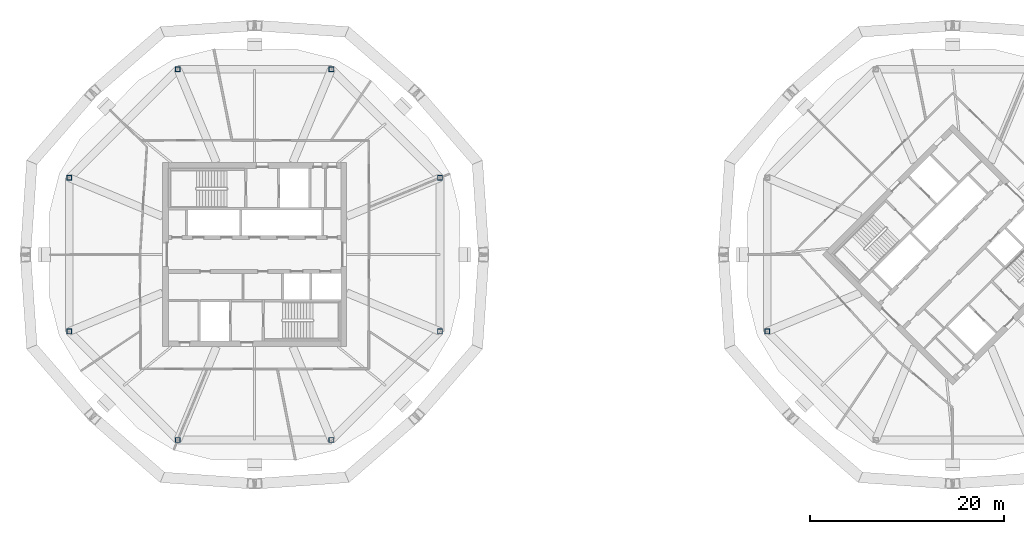
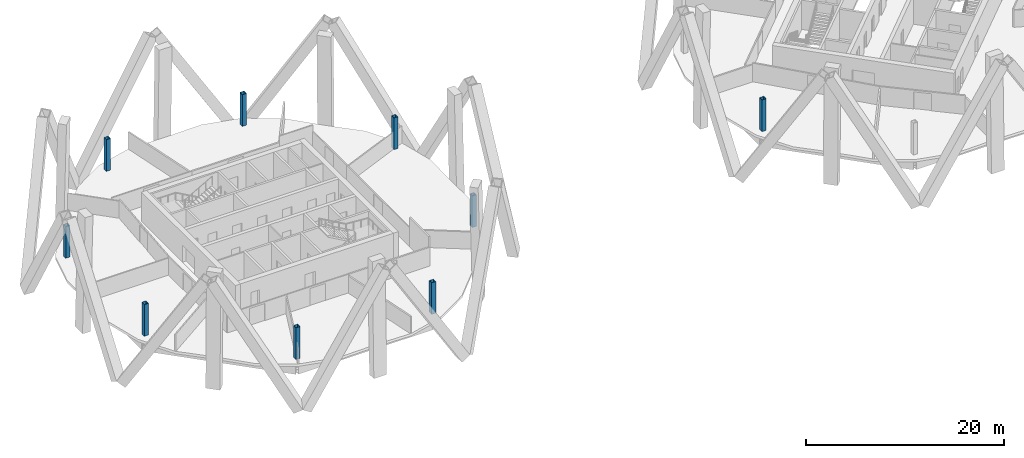
# One storey, part 1 of 10: 9 columns.
"""IFC4 building model written with IfcOpenShell, lengths in metres."""

from ifc_helpers import new_model, si_unit, direction, frame, origin, origin_2d, place, context, subcontext, project, spatial, hollow_rectangle, extrude, material, material_profile, profile_set, type_object, element, save


model = new_model("IFC4")

# Units and contexts
model_context = context("Model", 3, precision=1e-05, world=origin(), true_north=direction((0.0, 1.0)))
body_context = subcontext(model_context, "Body", "Model", "MODEL_VIEW")
ifc_project = project(units=[si_unit("LENGTHUNIT", "METRE"), si_unit("AREAUNIT", "SQUARE_METRE"), si_unit("VOLUMEUNIT", "CUBIC_METRE"), si_unit("PLANEANGLEUNIT", "RADIAN"), si_unit("MASSUNIT", "GRAM", prefix="KILO")], contexts=[model_context])

# Site, building, storey
site_placement = place(None, origin())
site = spatial("IfcSite", under=ifc_project, at=site_placement, CompositionType="ELEMENT")
building_placement = place(site_placement, origin())
building = spatial("IfcBuilding", under=site, at=building_placement, Name="Ogive Gate Towers", CompositionType="ELEMENT")
storey_placement = place(building_placement, frame((0.0, 0.0, 204.60009765625)))
storey = spatial("IfcBuildingStorey", under=building, at=storey_placement, Name="L49", CompositionType="ELEMENT", Elevation=204.60009765625)

# Columns
ifc_material = material(Name="Steel SM460", Category="steel")
ifc_material_profile = material_profile(ifc_material, hollow_rectangle(XDim=0.5, YDim=0.5, WallThickness=0.030029296875, at=origin_2d()), Name="BX 500x500x30")
ifc_profile_set = profile_set([ifc_material_profile], Name="Steel SM460")
column_type = type_object("IfcColumnType", Name="Perimeter post BX 500x500x30", PredefinedType="COLUMN", material=ifc_profile_set)
for number, where, z_axis, x_axis, name in (
    (1, (-16.885009765625, 7.917724609375, 0.0), (0.0, 0.0, 1.0), (1.0, 0.0, 0.0), "T1/L49/SCL001"),
    (2, (-28.082275390625, 19.114990234375, 0.0), (0.0, 0.0, 1.0), (1.0, 0.0, 0.0), "T1/L49/SCL002"),
    (3, (-43.917724609375, 19.114990234375, 0.0), (0.0, 0.0, 1.0), (1.0, 0.0, 0.0), "T1/L49/SCL003"),
    (4, (-55.114990234375, 7.917724609375, 0.0), (0.0, 0.0, 1.0), (1.0, 0.0, 0.0), "T1/L49/SCL004"),
    (5, (-55.114990234375, -7.917724609375, 0.0), (0.0, 0.0, 1.0), (1.0, 0.0, 0.0), "T1/L49/SCL005"),
    (6, (-43.917724609375, -19.114990234375, 0.0), (0.0, 0.0, 1.0), (1.0, 0.0, 0.0), "T1/L49/SCL006"),
    (7, (-28.082275390625, -19.114990234375, 0.0), (0.0, 0.0, 1.0), (1.0, 0.0, 0.0), "T1/L49/SCL007"),
    (8, (-16.885009765625, -7.917724609375, 0.0), (0.0, 0.0, 1.0), (1.0, 0.0, 0.0), "T1/L49/SCL008"),
    (9, (16.885009765625, -7.917724609375, 0.0), (0.0, 0.0, 1.0), (1.0, 0.0, 0.0), "T2/L49/SCL005"),
):
    element("IfcColumn", number, at=place(storey_placement, frame(where, z_axis=z_axis, x_axis=x_axis)), inside=storey, type_object=column_type, Name=name, PredefinedType="COLUMN", context=body_context, shape_type="SweptSolid", body=[
        extrude(hollow_rectangle(XDim=0.5, YDim=0.5, WallThickness=0.030029296875, at=origin_2d()), origin(), (0.0, 0.0, 1.0), 3.89990234375),
    ])

save(model, "model.ifc")
